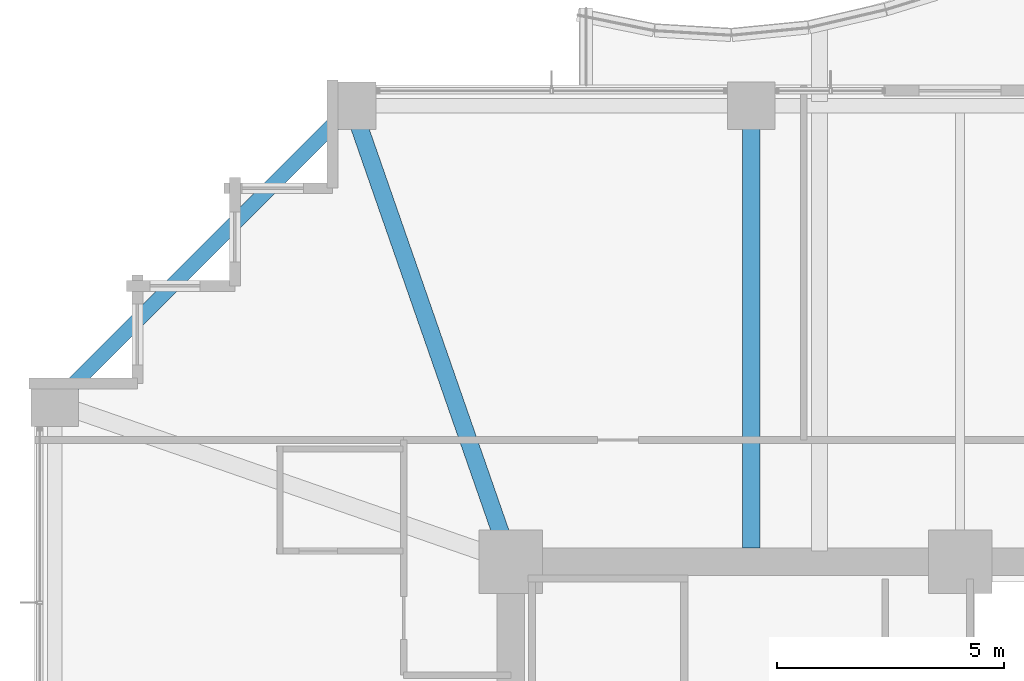
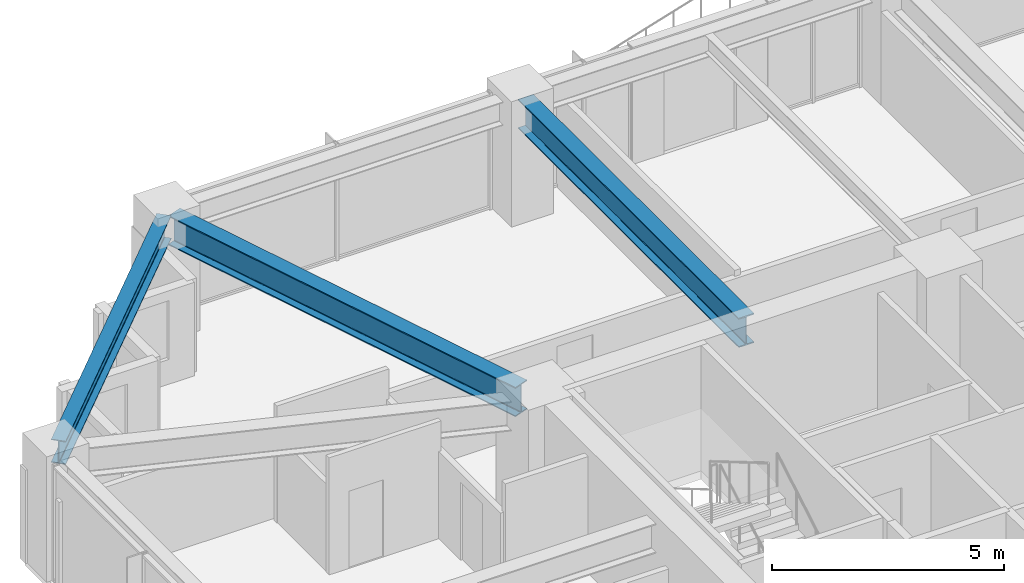
# One storey, part 18 of 38: 3 beams.
"""IFC4 building model written with IfcOpenShell, lengths in metres."""

from ifc_helpers import new_model, si_unit, direction, frame, origin, origin_2d, place, context, subcontext, project, spatial, i_section, extrude, material, material_profile, profile_set, type_object, element, save


model = new_model("IFC4")

# Units and contexts
model_context = context("Model", 3, precision=1e-05, world=origin(), true_north=direction((0.0, 1.0)))
body_context = subcontext(model_context, "Body", "Model", "MODEL_VIEW")
ifc_project = project(units=[si_unit("LENGTHUNIT", "METRE"), si_unit("AREAUNIT", "SQUARE_METRE"), si_unit("VOLUMEUNIT", "CUBIC_METRE"), si_unit("PLANEANGLEUNIT", "RADIAN"), si_unit("MASSUNIT", "GRAM", prefix="KILO")], contexts=[model_context])

# Site, building, storey
site_placement = place(None, origin())
site = spatial("IfcSite", under=ifc_project, at=site_placement, CompositionType="ELEMENT")
building_placement = place(site_placement, origin())
building = spatial("IfcBuilding", under=site, at=building_placement, Name="Kolvaren Belvedere", CompositionType="ELEMENT")
storey_placement = place(building_placement, frame((0.0, 0.0, 98.60009765625)))
storey = spatial("IfcBuildingStorey", under=building, at=storey_placement, Name="L28", CompositionType="ELEMENT", Elevation=98.60009765625)

# Beams
ifc_material_1 = material(Name="Structural steel ASTM A992 Grade 50", Category="steel")
ifc_material_profile_1 = material_profile(ifc_material_1, i_section(OverallWidth=0.381103515625, OverallDepth=0.77294921875, WebThickness=0.0166015625, FlangeThickness=0.027099609375, FilletRadius=0.02392578125, at=origin_2d()), Name="W30X173")
ifc_profile_set_1 = profile_set([ifc_material_profile_1], Name="Structural steel ASTM A992 Grade 50")
beam_type_1 = type_object("IfcBeamType", Name="BM-GIRD-W30X173", PredefinedType="BEAM", material=ifc_profile_set_1)
beam_1_placement = place(storey_placement, frame((-4.60009765625, 10.199951171875, 2.693359375), z_axis=(0.0, 1.0, 0.0), x_axis=(-1.0, 0.0, 0.0)))
element("IfcBeam", 1, at=beam_1_placement, inside=storey, type_object=beam_type_1, Name="L28 North Radial Girder M", PredefinedType="BEAM", context=body_context, shape_type="SweptSolid", body=[
    extrude(i_section(OverallWidth=0.381103515625, OverallDepth=0.77294921875, WebThickness=0.0166015625, FlangeThickness=0.027099609375, FilletRadius=0.02392578125, at=origin_2d()), origin(), (0.0, 0.0, 1.0), 9.513916015625),
])
beam_2_placement = place(storey_placement, frame((-10.080810546875, 10.41943359375, 2.693359375), z_axis=(-0.328880894453, 0.944371408538, 0.0), x_axis=(-0.944371408538, -0.328880894453, 0.0)))
element("IfcBeam", 2, at=beam_2_placement, inside=storey, type_object=beam_type_1, Name="L28 Corner Core-to-Perimeter Girder CC4-N1", PredefinedType="BEAM", context=body_context, shape_type="SweptSolid", body=[
    extrude(i_section(OverallWidth=0.381103515625, OverallDepth=0.77294921875, WebThickness=0.0166015625, FlangeThickness=0.027099609375, FilletRadius=0.02392578125, at=origin_2d()), origin(), (0.0, 0.0, 1.0), 9.882080078125),
])
ifc_material_2 = material(Name="Structural steel ASTM A992 Grade 50", Category="steel")
ifc_material_profile_2 = material_profile(ifc_material_2, i_section(OverallWidth=0.324951171875, OverallDepth=0.615966796875, WebThickness=0.013916015625, FlangeThickness=0.021484375, FilletRadius=0.02001953125, at=origin_2d()), Name="W24X117")
ifc_profile_set_2 = profile_set([ifc_material_profile_2], Name="Structural steel ASTM A992 Grade 50")
beam_type_2 = type_object("IfcBeamType", Name="BM-SPAN-W24X117", PredefinedType="SPANDREL", material=ifc_profile_set_2)
beam_3_placement = place(storey_placement, frame((-13.567138671875, 19.782958984375, 2.77197265625), z_axis=(-0.707106781187, -0.707106781187, 0.0), x_axis=(0.707106781187, -0.707106781187, 0.0)))
element("IfcBeam", 3, at=beam_3_placement, inside=storey, type_object=beam_type_2, Name="L28 Perimeter Spandrel N1-W4", PredefinedType="SPANDREL", context=body_context, shape_type="SweptSolid", body=[
    extrude(i_section(OverallWidth=0.324951171875, OverallDepth=0.615966796875, WebThickness=0.013916015625, FlangeThickness=0.021484375, FilletRadius=0.02001953125, at=origin_2d()), origin(), (0.0, 0.0, 1.0), 8.79052734375),
])

save(model, "model.ifc")
